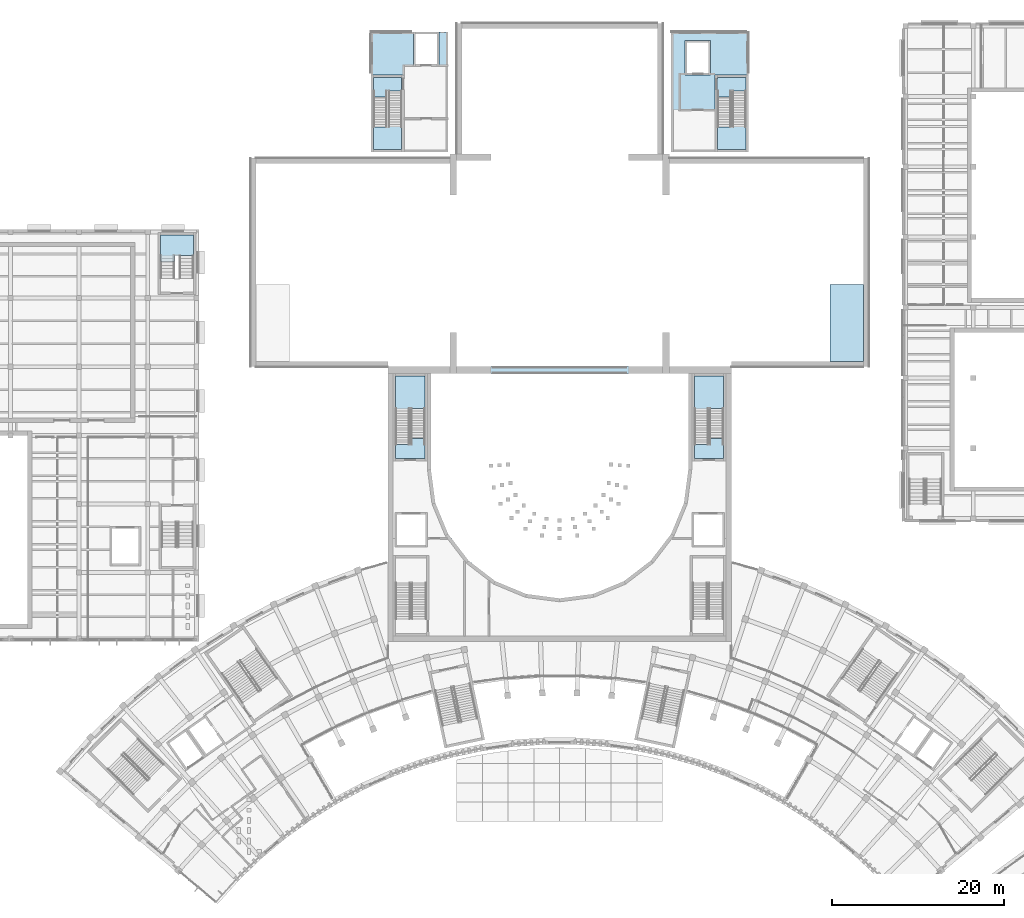
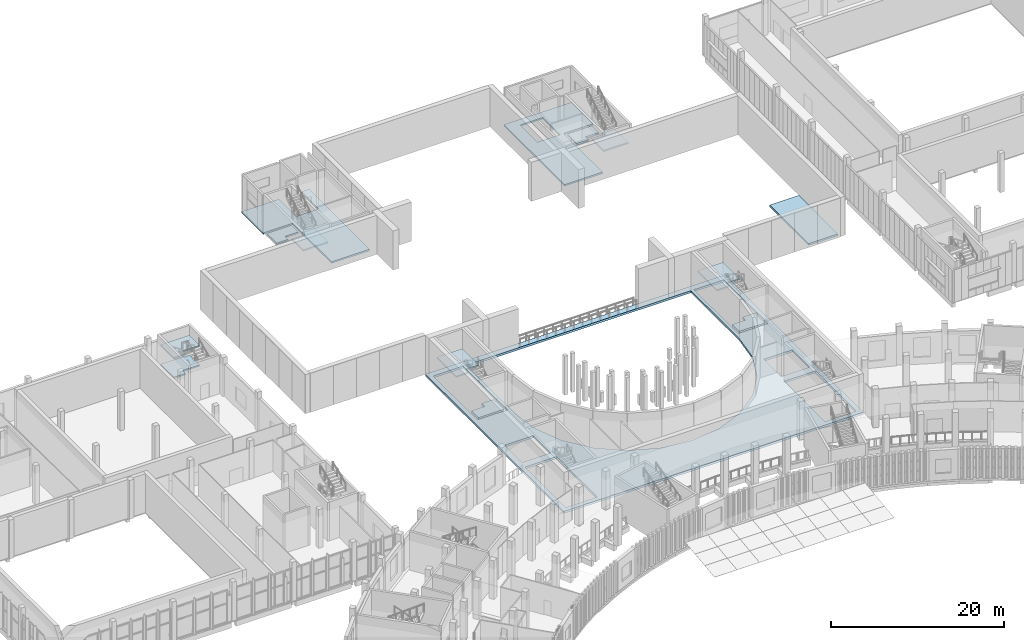
# One storey, part 49 of 112: 14 slabs, 5 elements without a shape of their own.
"""IFC4 building model written with IfcOpenShell, lengths in metres."""

import ifcopenshell
import ifcopenshell.guid

model = None  # the IFC model being written
_history = None  # IfcOwnerHistory: only IFC2X3 demands one
_inside = {}  # id of a spatial element -> (the spatial element, [elements in it])
_under = {}  # id of a project, library or spatial element -> (it, [spatial elements below it])
_declared = {}  # id of a project -> (the project, [libraries it declares])
_typed = {}  # id of a type object -> (the type object, [elements of that type])
_made_of = {}  # id of a material, layer set ... -> (it, [elements and type objects made of it])


def new_model(schema):
    """Start an empty IFC model of exactly this schema.

    Asked for "IFC4X3", IfcOpenShell would pick the latest addendum, in which some entities
    have other attributes; the version numbers below select the first issue.
    IFC2X3 requires an IfcOwnerHistory on every rooted entity: one is made here for all.
    """
    global model, _history
    if schema == "IFC4X3":
        model = ifcopenshell.file(schema_version=(4, 3, 0, 0))
    else:
        model = ifcopenshell.file(schema=schema)
    _inside.clear()
    _under.clear()
    _declared.clear()
    _typed.clear()
    _made_of.clear()
    _history = None
    if model.schema == "IFC2X3":
        org = make("IfcOrganization", Name="unknown")
        user = make(
            "IfcPersonAndOrganization",
            ThePerson=make("IfcPerson", FamilyName="unknown"),
            TheOrganization=org,
        )
        app = make(
            "IfcApplication",
            ApplicationDeveloper=org,
            Version="unknown",
            ApplicationFullName="unknown",
            ApplicationIdentifier="unknown",
        )
        _history = make(
            "IfcOwnerHistory",
            OwningUser=user,
            OwningApplication=app,
            ChangeAction="ADDED",
            CreationDate=0,
        )
    return model


def make(cls, **values):
    """One entity of the class cls with the attributes given. An attribute that is None is left unset."""
    return model.create_entity(
        cls, **{name: value for name, value in values.items() if value is not None}
    )


def rooted(cls, **values):
    """An entity with a GlobalId (a new one), such as an element, a storey or a relation."""
    return make(cls, GlobalId=ifcopenshell.guid.new(), OwnerHistory=_history, **values)


def si_unit(unit_type, name, prefix=None):
    """IfcSIUnit, for example si_unit("LENGTHUNIT", "METRE", prefix="MILLI")."""
    return make("IfcSIUnit", UnitType=unit_type, Prefix=prefix, Name=name)


def assignment(units):
    """IfcUnitAssignment: the units of a project."""
    return None if units is None else make("IfcUnitAssignment", Units=units)


def point(xyz):
    """IfcCartesianPoint."""
    return None if xyz is None else make("IfcCartesianPoint", Coordinates=xyz)


def direction(xyz):
    """IfcDirection."""
    return None if xyz is None else make("IfcDirection", DirectionRatios=xyz)


def frame(location, z_axis=None, x_axis=None):
    """IfcAxis2Placement3D, a coordinate frame: its origin and axes. An axis left out is left unset."""
    return make(
        "IfcAxis2Placement3D",
        Location=point(location),
        Axis=direction(z_axis),
        RefDirection=direction(x_axis),
    )


def origin():
    """The frame at (0, 0, 0) with its axes left unset."""
    return frame((0.0, 0.0, 0.0))


def place(relative_to, where):
    """IfcLocalPlacement: puts the frame where relative to a parent placement (None: the world)."""
    return make(
        "IfcLocalPlacement", PlacementRelTo=relative_to, RelativePlacement=where
    )


def context(
    kind, dimensions, precision=None, world=None, true_north=None, identifier=None
):
    """IfcGeometricRepresentationContext, for example the 3D "Model" context."""
    return make(
        "IfcGeometricRepresentationContext",
        ContextIdentifier=identifier,
        ContextType=kind,
        CoordinateSpaceDimension=dimensions,
        Precision=precision,
        WorldCoordinateSystem=world,
        TrueNorth=true_north,
    )


def subcontext(parent, identifier, kind, view, scale=None):
    """IfcGeometricRepresentationSubContext, for example "Body" below "Model"."""
    return make(
        "IfcGeometricRepresentationSubContext",
        ContextIdentifier=identifier,
        ContextType=kind,
        ParentContext=parent,
        TargetScale=scale,
        TargetView=view,
    )


def project(units=None, contexts=None):
    """IfcProject with its units and contexts."""
    return rooted(
        "IfcProject",
        Name="project",
        RepresentationContexts=contexts,
        UnitsInContext=assignment(units),
    )


def spatial(cls, under=None, at=None, **own):
    """A site, building, storey or space (cls), placed at a placement, below another one or the project."""
    s = rooted(cls, ObjectPlacement=at, **own)
    if under is not None:
        _under.setdefault(under.id(), (under, []))[1].append(s)
    return s


def polyline(points):
    """IfcPolyline through the points."""
    return make("IfcPolyline", Points=[point(p) for p in points])


def outline(outer, holes=None, kind="AREA"):
    """IfcArbitraryClosedProfileDef: a profile drawn as a closed curve; with holes, ...WithVoids."""
    if holes is None:
        return make("IfcArbitraryClosedProfileDef", ProfileType=kind, OuterCurve=outer)
    return make(
        "IfcArbitraryProfileDefWithVoids",
        ProfileType=kind,
        OuterCurve=outer,
        InnerCurves=holes,
    )


def extrude(swept, where, along, depth):
    """IfcExtrudedAreaSolid: the profile swept, set in the frame where, extruded along a direction by depth."""
    return make(
        "IfcExtrudedAreaSolid",
        SweptArea=swept,
        Position=where,
        ExtrudedDirection=direction(along),
        Depth=depth,
    )


def shape(context_of_items, identifier, shape_type, items):
    """IfcShapeRepresentation: the items that make up one representation, for example the "Body"."""
    return make(
        "IfcShapeRepresentation",
        ContextOfItems=context_of_items,
        RepresentationIdentifier=identifier,
        RepresentationType=shape_type,
        Items=items,
    )


def material(Name=None, Category=None):
    """IfcMaterial."""
    return make("IfcMaterial", Name=Name, Category=Category)


def layer(
    of_material, thickness, ventilated=None, Name=None, Category=None, Priority=None
):
    """IfcMaterialLayer: one layer of a wall or slab, of a material (None: an air gap)."""
    return make(
        "IfcMaterialLayer",
        Material=of_material,
        LayerThickness=thickness,
        IsVentilated=ventilated,
        Name=Name,
        Category=Category,
        Priority=Priority,
    )


def layer_set(layers, Name=None):
    """IfcMaterialLayerSet."""
    return make("IfcMaterialLayerSet", MaterialLayers=layers, LayerSetName=Name)


def made_of(thing, what):
    """Note that an element or type object is made of a material, layer set ...; save() writes the relation."""
    if what is not None:
        _made_of.setdefault(what.id(), (what, []))[1].append(thing)
    return thing


def type_object(cls, material=None, **own):
    """A type object (cls), such as IfcWallType, which elements share."""
    return made_of(rooted(cls, **own), material)


def element(
    cls,
    number,
    at=None,
    inside=None,
    cuts=None,
    type_object=None,
    material=None,
    context=None,
    identifier="Body",
    shape_type=None,
    held_by="IfcProductDefinitionShape",
    body=None,
    shapes=None,
    **own,
):
    """One element of the class cls, such as IfcWall. Its Tag is "e" and its number.

    at: its placement. inside: the storey or other place that contains it. cuts: it is an
    opening in that element (IfcRelVoidsElement). A single representation is given by context,
    identifier, shape_type and body (its items); several are given by shapes. held_by: the class
    of the entity that holds the representations. save() writes the other relations.
    """
    e = rooted(cls, Tag="e%d" % number, ObjectPlacement=at, **own)
    if body is not None:
        shapes = [shape(context, identifier, shape_type, body)]
    if shapes is not None:
        e.Representation = make(held_by, Representations=shapes)
    if inside is not None:
        _inside.setdefault(inside.id(), (inside, []))[1].append(e)
    if cuts is not None:
        rooted(
            "IfcRelVoidsElement", RelatingBuildingElement=cuts, RelatedOpeningElement=e
        )
    if type_object is not None:
        _typed.setdefault(type_object.id(), (type_object, []))[1].append(e)
    return made_of(e, material)


def aggregate(whole, parts):
    """IfcRelAggregates: a whole, such as a stair, and the parts it consists of."""
    return rooted("IfcRelAggregates", RelatingObject=whole, RelatedObjects=parts)


def save(model, path):
    """Write the relations noted so far, then the file.

    IfcRelAggregates (storeys below a building ...), IfcRelContainedInSpatialStructure (elements
    in a storey), IfcRelDefinesByType, IfcRelAssociatesMaterial and IfcRelDeclares: one each for
    every whole, place, type object, material and project.
    """
    for whole, parts in _under.values():
        aggregate(whole, parts)
    for where, things in _inside.values():
        rooted(
            "IfcRelContainedInSpatialStructure",
            RelatedElements=things,
            RelatingStructure=where,
        )
    for kind, things in _typed.values():
        rooted("IfcRelDefinesByType", RelatedObjects=things, RelatingType=kind)
    for what, things in _made_of.values():
        rooted("IfcRelAssociatesMaterial", RelatedObjects=things, RelatingMaterial=what)
    for by, libraries in _declared.values():
        rooted("IfcRelDeclares", RelatingContext=by, RelatedDefinitions=libraries)
    model.write(path)


model = new_model("IFC4")

# Units and contexts
model_context = context("Model", 3, precision=1e-05, world=origin(), true_north=direction((0.0, 1.0)))
body_context = subcontext(model_context, "Body", "Model", "MODEL_VIEW")
ifc_project = project(units=[si_unit("LENGTHUNIT", "METRE"), si_unit("AREAUNIT", "SQUARE_METRE"), si_unit("VOLUMEUNIT", "CUBIC_METRE"), si_unit("PLANEANGLEUNIT", "RADIAN"), si_unit("MASSUNIT", "GRAM", prefix="KILO")], contexts=[model_context])

# Site, building, storey
site_placement = place(None, origin())
site = spatial("IfcSite", under=ifc_project, at=site_placement, CompositionType="ELEMENT")
building_placement = place(site_placement, origin())
building = spatial("IfcBuilding", under=site, at=building_placement, Name="Lunette Opera House", CompositionType="ELEMENT")
storey_placement = place(building_placement, frame((0.0, 0.0, 6.0)))
storey = spatial("IfcBuildingStorey", under=building, at=storey_placement, Name="L01", CompositionType="ELEMENT", Elevation=6.0)

# Slabs
ifc_material_1 = material(Name="Concrete C35/45", Category="concrete")
ifc_layer_1 = layer(ifc_material_1, 0.219970703125)
ifc_layer_set_1 = layer_set([ifc_layer_1], Name="Concrete C35/45")
slab_type_1 = type_object("IfcSlabType", Name="CORE LANDING SLAB 220", PredefinedType="LANDING", material=ifc_layer_set_1)
slab_1_placement = place(storey_placement, frame((0.0, 0.0, -0.219970703125)))
element("IfcSlab", 1, at=slab_1_placement, inside=storey, type_object=slab_type_1, Name="ST11 floor landing", PredefinedType="LANDING", context=body_context, shape_type="SweptSolid", body=[
    extrude(outline(polyline([(77.60009765625, 129.699951171875), (77.60009765625, 128.139892578125), (76.050048828125, 128.139892578125), (76.050048828125, 128.14990234375), (75.85009765625, 128.14990234375), (75.85009765625, 127.449951171875), (74.300048828125, 127.449951171875), (74.300048828125, 129.699951171875), (77.60009765625, 129.699951171875)])), origin(), (0.0, 0.0, 1.0), 0.219970703125),
])
slab_2_placement = place(storey_placement, frame((0.0, 0.0, -0.219970703125)))
element("IfcSlab", 2, at=slab_2_placement, inside=storey, type_object=slab_type_1, Name="ST12 floor landing", PredefinedType="LANDING", context=body_context, shape_type="SweptSolid", body=[
    extrude(outline(polyline([(117.699951171875, 128.139892578125), (116.14990234375, 128.139892578125), (116.14990234375, 128.14990234375), (115.949951171875, 128.14990234375), (115.949951171875, 127.449951171875), (114.39990234375, 127.449951171875), (114.39990234375, 129.699951171875), (117.699951171875, 129.699951171875), (117.699951171875, 128.139892578125)])), origin(), (0.0, 0.0, 1.0), 0.219970703125),
])
ifc_material_2 = material(Name="Concrete C35/45", Category="concrete")
ifc_layer_2 = layer(ifc_material_2, 0.300048828125)
ifc_layer_set_2 = layer_set([ifc_layer_2], Name="Concrete C35/45")
slab_type_2 = type_object("IfcSlabType", Name="CORE LANDING SLAB 300", PredefinedType="LANDING", material=ifc_layer_set_2)
slab_3_placement = place(storey_placement, frame((0.0, 0.0, -0.300048828125)))
element("IfcSlab", 3, at=slab_3_placement, inside=storey, type_object=slab_type_2, Name="ST10 floor landing", PredefinedType="LANDING", context=body_context, shape_type="SweptSolid", body=[
    extrude(outline(polyline([(76.89990234375, 85.300048828125), (76.89990234375, 86.929931640625), (78.52001953125, 86.929931640625), (78.52001953125, 86.919921875), (78.679931640625, 86.919921875), (78.679931640625, 87.6201171875), (80.300048828125, 87.6201171875), (80.300048828125, 85.300048828125), (76.89990234375, 85.300048828125)])), origin(), (0.0, 0.0, 1.0), 0.300048828125),
])
slab_4_placement = place(storey_placement, frame((0.0, 0.0, -0.300048828125)))
element("IfcSlab", 4, at=slab_4_placement, inside=storey, type_object=slab_type_2, Name="ST9 floor landing", PredefinedType="LANDING", context=body_context, shape_type="SweptSolid", body=[
    extrude(outline(polyline([(111.699951171875, 85.300048828125), (111.699951171875, 86.929931640625), (113.320068359375, 86.929931640625), (113.320068359375, 86.919921875), (113.47998046875, 86.919921875), (113.47998046875, 87.6201171875), (115.10009765625, 87.6201171875), (115.10009765625, 85.300048828125), (111.699951171875, 85.300048828125)])), origin(), (0.0, 0.0, 1.0), 0.300048828125),
])
ifc_material_3 = material(Name="Concrete C35/45", Category="concrete")
ifc_layer_3 = layer(ifc_material_3, 0.219970703125)
ifc_layer_set_3 = layer_set([ifc_layer_3], Name="Concrete C35/45")
slab_type_3 = type_object("IfcSlabType", Name="FLOOR SLAB 220", PredefinedType="FLOOR", material=ifc_layer_set_3)
slab_5_placement = place(storey_placement, frame((0.0, 0.0, -0.219970703125)))
element("IfcSlab", 5, at=slab_5_placement, inside=storey, type_object=slab_type_3, Name="slab-ST-L01-F1", PredefinedType="FLOOR", context=body_context, shape_type="SweptSolid", body=[
    extrude(outline(polyline([(78.949951171875, 135.0), (74.0, 135.0), (74.0, 130.0), (77.89990234375, 130.0), (77.89990234375, 121.0), (83.0, 121.0), (83.0, 135.0), (81.949951171875, 135.0), (81.949951171875, 131.0), (78.949951171875, 131.0), (78.949951171875, 135.0)])), origin(), (0.0, 0.0, 1.0), 0.219970703125),
])
slab_6_placement = place(storey_placement, frame((0.0, 0.0, -0.219970703125)))
element("IfcSlab", 6, at=slab_6_placement, inside=storey, type_object=slab_type_3, Name="slab-ST-L01-F2", PredefinedType="FLOOR", context=body_context, shape_type="SweptSolid", body=[
    extrude(outline(polyline([(109.0, 121.0), (114.10009765625, 121.0), (114.10009765625, 130.0), (118.0, 130.0), (118.0, 135.0), (109.0, 135.0), (109.0, 121.0)]), holes=[polyline([(110.60009765625, 130.0), (110.60009765625, 134.0), (113.60009765625, 134.0), (113.60009765625, 130.0), (110.60009765625, 130.0)])]), origin(), (0.0, 0.0, 1.0), 0.219970703125),
])
ifc_material_4 = material(Name="Concrete C35/45", Category="concrete")
ifc_layer_4 = layer(ifc_material_4, 0.300048828125)
ifc_layer_set_4 = layer_set([ifc_layer_4], Name="Concrete C35/45")
slab_type_4 = type_object("IfcSlabType", Name="FLOOR SLAB 300", PredefinedType="FLOOR", material=ifc_layer_set_4)
slab_7_placement = place(storey_placement, frame((0.0, 0.0, -0.300048828125)))
element("IfcSlab", 7, at=slab_7_placement, inside=storey, type_object=slab_type_4, Name="slab-AU-L01-F1", PredefinedType="FLOOR", context=body_context, shape_type="SweptSolid", body=[
    extrude(outline(polyline([(76.0, 96.0), (76.0, 64.0), (116.0, 64.0), (116.0, 96.0), (76.0, 96.0)]), holes=[polyline([(81.510986328125, 80.117919921875), (81.0, 84.0), (81.0, 95.199951171875), (111.0, 95.199951171875), (111.0, 84.0), (110.489013671875, 80.117919921875), (108.989990234375, 76.5), (106.60693359375, 73.39306640625), (103.5, 71.010009765625), (99.882080078125, 69.510986328125), (96.0, 69.0), (92.117919921875, 69.510986328125), (88.5, 71.010009765625), (85.39306640625, 73.39306640625), (83.010009765625, 76.5), (81.510986328125, 80.117919921875)]), polyline([(76.60009765625, 64.60009765625), (76.60009765625, 74.0), (80.800048828125, 74.0), (80.800048828125, 64.60009765625), (76.60009765625, 64.60009765625)]), polyline([(111.199951171875, 74.0), (115.39990234375, 74.0), (115.39990234375, 64.60009765625), (111.199951171875, 64.60009765625), (111.199951171875, 74.0)]), polyline([(76.800048828125, 79.0), (80.60009765625, 79.0), (80.60009765625, 75.0), (76.800048828125, 75.0), (76.800048828125, 79.0)]), polyline([(111.39990234375, 75.0), (111.39990234375, 79.0), (115.199951171875, 79.0), (115.199951171875, 75.0), (111.39990234375, 75.0)]), polyline([(76.60009765625, 95.199951171875), (80.60009765625, 95.199951171875), (80.60009765625, 85.0), (76.60009765625, 85.0), (76.60009765625, 95.199951171875)]), polyline([(111.39990234375, 95.199951171875), (115.39990234375, 95.199951171875), (115.39990234375, 85.0), (111.39990234375, 85.0), (111.39990234375, 95.199951171875)])]), origin(), (0.0, 0.0, 1.0), 0.300048828125),
])
ifc_material_5 = material(Name="Concrete C35/45", Category="concrete")
ifc_layer_5 = layer(ifc_material_5, 0.25)
ifc_layer_set_5 = layer_set([ifc_layer_5], Name="Concrete C35/45")
slab_type_5 = type_object("IfcSlabType", Name="ROOF SLAB 250", PredefinedType="ROOF", material=ifc_layer_set_5)
slab_8_placement = place(storey_placement, frame((0.0, 0.0, -0.25)))
element("IfcSlab", 8, at=slab_8_placement, inside=storey, type_object=slab_type_5, Name="slab-ST-L00-RC2", PredefinedType="ROOF", context=body_context, shape_type="SweptSolid", body=[
    extrude(outline(polyline([(131.39990234375, 96.60009765625), (131.39990234375, 105.60009765625), (127.5, 105.60009765625), (127.5, 96.60009765625), (131.39990234375, 96.60009765625)])), origin(), (0.0, 0.0, 1.0), 0.25),
])

# Stair, slab
ifc_material_6 = material(Name="Concrete C35/45", Category="concrete")
stair_type_1 = type_object("IfcStairType", Name="DOGLEG STAIR 1620", PredefinedType="HALF_TURN_STAIR", material=ifc_material_6)
stair_1_placement = place(storey_placement, origin())
stair_1 = element("IfcStair", 9, at=stair_1_placement, inside=storey, type_object=stair_type_1, Name="L01 stair ST10", PredefinedType="HALF_TURN_STAIR")
ifc_material_7 = material(Name="Concrete C35/45", Category="concrete")
ifc_layer_6 = layer(ifc_material_7, 0.199951171875)
ifc_layer_set_6 = layer_set([ifc_layer_6], Name="Concrete C35/45")
slab_type_6 = type_object("IfcSlabType", Name="STAIR LANDING SLAB 200", PredefinedType="LANDING", material=ifc_layer_set_6)
slab_9_placement = place(storey_placement, frame((0.0, 0.0, 2.550048828125)))
slab_9 = element("IfcSlab", 10, at=slab_9_placement, type_object=slab_type_6, Name="ST10 landing 1", PredefinedType="LANDING", context=body_context, shape_type="SweptSolid", body=[
    extrude(outline(polyline([(80.300048828125, 91.110107421875), (78.679931640625, 91.110107421875), (78.679931640625, 91.1201171875), (78.52001953125, 91.1201171875), (78.52001953125, 90.419921875), (76.89990234375, 90.419921875), (76.89990234375, 94.89990234375), (80.300048828125, 94.89990234375), (80.300048828125, 91.110107421875)])), origin(), (0.0, 0.0, 1.0), 0.199951171875),
])
aggregate(stair_1, [slab_9])

ifc_material_8 = material(Name="Concrete C35/45", Category="concrete")
stair_type_2 = type_object("IfcStairType", Name="DOGLEG STAIR 1550", PredefinedType="HALF_TURN_STAIR", material=ifc_material_8)
stair_2_placement = place(storey_placement, origin())
stair_2 = element("IfcStair", 11, at=stair_2_placement, inside=storey, type_object=stair_type_2, Name="L01 stair ST11", PredefinedType="HALF_TURN_STAIR")
slab_10_placement = place(storey_placement, frame((0.0, 0.0, 2.550048828125)))
slab_10 = element("IfcSlab", 12, at=slab_10_placement, type_object=slab_type_6, Name="ST11 landing 1", PredefinedType="LANDING", context=body_context, shape_type="SweptSolid", body=[
    extrude(outline(polyline([(74.300048828125, 121.300048828125), (74.300048828125, 123.9599609375), (75.85009765625, 123.9599609375), (75.85009765625, 123.949951171875), (76.050048828125, 123.949951171875), (76.050048828125, 124.64990234375), (77.60009765625, 124.64990234375), (77.60009765625, 121.300048828125), (74.300048828125, 121.300048828125)])), origin(), (0.0, 0.0, 1.0), 0.199951171875),
])
aggregate(stair_2, [slab_10])

stair_3_placement = place(storey_placement, origin())
stair_3 = element("IfcStair", 13, at=stair_3_placement, inside=storey, type_object=stair_type_2, Name="L01 stair ST12", PredefinedType="HALF_TURN_STAIR")
slab_11_placement = place(storey_placement, frame((0.0, 0.0, 2.550048828125)))
slab_11 = element("IfcSlab", 14, at=slab_11_placement, type_object=slab_type_6, Name="ST12 landing 1", PredefinedType="LANDING", context=body_context, shape_type="SweptSolid", body=[
    extrude(outline(polyline([(114.39990234375, 121.300048828125), (114.39990234375, 123.9599609375), (115.949951171875, 123.9599609375), (115.949951171875, 123.949951171875), (116.14990234375, 123.949951171875), (116.14990234375, 124.64990234375), (117.699951171875, 124.64990234375), (117.699951171875, 121.300048828125), (114.39990234375, 121.300048828125)])), origin(), (0.0, 0.0, 1.0), 0.199951171875),
])
aggregate(stair_3, [slab_11])

# Stair, slabs
ifc_material_9 = material(Name="Concrete C35/45", Category="concrete")
stair_type_3 = type_object("IfcStairType", Name="DOGLEG STAIR 1600", PredefinedType="HALF_TURN_STAIR", material=ifc_material_9)
stair_4_placement = place(storey_placement, origin())
stair_4 = element("IfcStair", 15, at=stair_4_placement, inside=storey, type_object=stair_type_3, Name="L01 stair ST17", PredefinedType="HALF_TURN_STAIR")
slab_12_placement = place(storey_placement, frame((0.0, 0.0, 1.175048828125)))
slab_12 = element("IfcSlab", 16, at=slab_12_placement, type_object=slab_type_6, Name="ST17 landing 1", PredefinedType="LANDING", context=body_context, shape_type="SweptSolid", body=[
    extrude(outline(polyline([(53.3349609375, 108.949951171875), (51.735107421875, 108.949951171875), (51.735107421875, 108.9599609375), (51.10009765625, 108.9599609375), (51.10009765625, 108.260009765625), (49.5, 108.260009765625), (49.5, 111.3349609375), (53.3349609375, 111.3349609375), (53.3349609375, 108.949951171875)])), origin(), (0.0, 0.0, 1.0), 0.199951171875),
])
slab_13_placement = place(storey_placement, frame((0.0, 0.0, 3.925048828125)))
slab_13 = element("IfcSlab", 17, at=slab_13_placement, type_object=slab_type_6, Name="ST17 landing 3", PredefinedType="LANDING", context=body_context, shape_type="SweptSolid", body=[
    extrude(outline(polyline([(53.3349609375, 108.949951171875), (51.735107421875, 108.949951171875), (51.735107421875, 108.9599609375), (51.10009765625, 108.9599609375), (51.10009765625, 108.260009765625), (49.5, 108.260009765625), (49.5, 111.3349609375), (53.3349609375, 111.3349609375), (53.3349609375, 108.949951171875)])), origin(), (0.0, 0.0, 1.0), 0.199951171875),
])
aggregate(stair_4, [slab_12, slab_13])

# Stair, slab
stair_5_placement = place(storey_placement, origin())
stair_5 = element("IfcStair", 18, at=stair_5_placement, inside=storey, type_object=stair_type_1, Name="L01 stair ST9", PredefinedType="HALF_TURN_STAIR")
slab_14_placement = place(storey_placement, frame((0.0, 0.0, 2.550048828125)))
slab_14 = element("IfcSlab", 19, at=slab_14_placement, type_object=slab_type_6, Name="ST9 landing 1", PredefinedType="LANDING", context=body_context, shape_type="SweptSolid", body=[
    extrude(outline(polyline([(115.10009765625, 94.89990234375), (115.10009765625, 91.110107421875), (113.47998046875, 91.110107421875), (113.47998046875, 91.1201171875), (113.320068359375, 91.1201171875), (113.320068359375, 90.419921875), (111.699951171875, 90.419921875), (111.699951171875, 94.89990234375), (115.10009765625, 94.89990234375)])), origin(), (0.0, 0.0, 1.0), 0.199951171875),
])
aggregate(stair_5, [slab_14])

save(model, "model.ifc")
